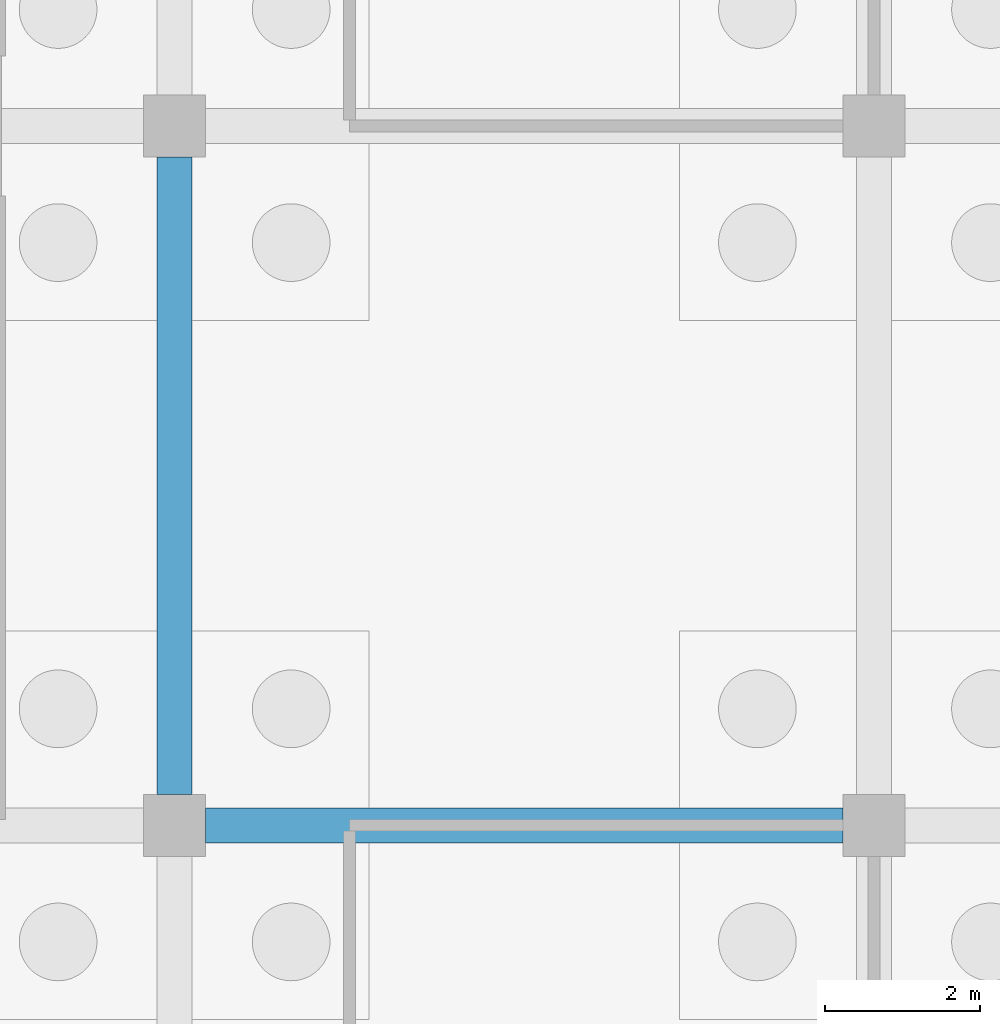
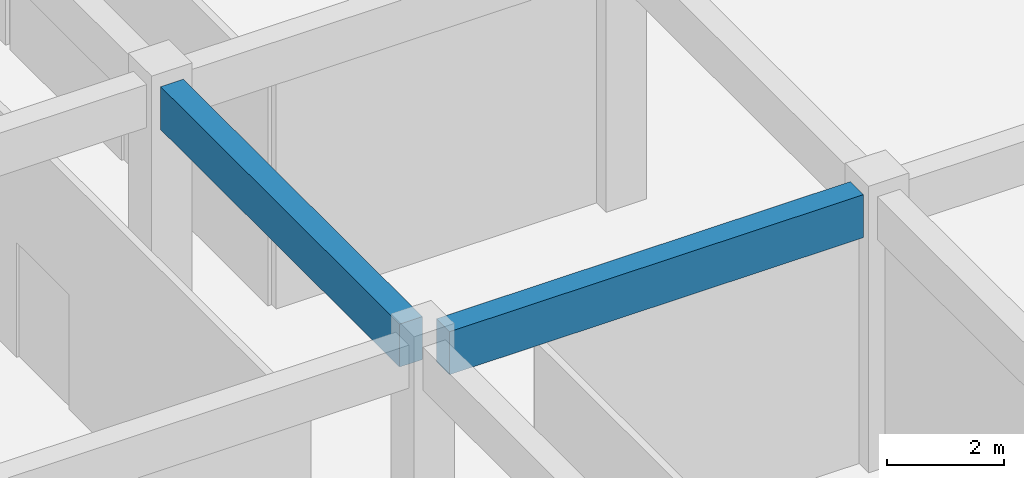
# One storey, part 59 of 198: 2 beams.
"""IFC4 building model written with IfcOpenShell, lengths in metres."""

from ifc_helpers import new_model, si_unit, direction, frame, origin, origin_2d, place, context, subcontext, project, spatial, rectangle, extrude, material, material_profile, profile_set, type_object, element, save


model = new_model("IFC4")

# Units and contexts
model_context = context("Model", 3, precision=1e-05, world=origin(), true_north=direction((0.0, 1.0)))
body_context = subcontext(model_context, "Body", "Model", "MODEL_VIEW")
ifc_project = project(units=[si_unit("LENGTHUNIT", "METRE"), si_unit("AREAUNIT", "SQUARE_METRE"), si_unit("VOLUMEUNIT", "CUBIC_METRE"), si_unit("PLANEANGLEUNIT", "RADIAN"), si_unit("MASSUNIT", "GRAM", prefix="KILO")], contexts=[model_context])

# Site, building, storey
site_placement = place(None, origin())
site = spatial("IfcSite", under=ifc_project, at=site_placement, CompositionType="ELEMENT")
building_placement = place(site_placement, origin())
building = spatial("IfcBuilding", under=site, at=building_placement, Name="Opaline Strait Convention Centre", CompositionType="ELEMENT")
storey_placement = place(building_placement, origin())
storey = spatial("IfcBuildingStorey", under=building, at=storey_placement, Name="L00", CompositionType="ELEMENT", Elevation=0.0)

# Beams
ifc_material = material(Name="Concrete C35", Category="concrete")
ifc_material_profile = material_profile(ifc_material, rectangle(XDim=0.449951171875, YDim=0.89990234375, at=origin_2d()), Name="RC 450x900")
ifc_profile_set = profile_set([ifc_material_profile], Name="Concrete C35")
beam_type = type_object("IfcBeamType", Name="RC beam 450x900 C35", PredefinedType="BEAM", material=ifc_profile_set)
for number, where, z_axis, x_axis, name in (
    (1, (288.39990234375, 135.0, 5.27001953125), (1.0, 0.0, 0.0), (0.0, 1.0, 0.0), "XB1 L00 33/R-34/R"),
    (2, (288.0, 135.39990234375, 5.27001953125), (0.0, 1.0, 0.0), (-1.0, 0.0, 0.0), "XB1 L00 33/R-33/S"),
):
    element("IfcBeam", number, at=place(storey_placement, frame(where, z_axis=z_axis, x_axis=x_axis)), inside=storey, type_object=beam_type, Name=name, PredefinedType="BEAM", context=body_context, shape_type="SweptSolid", body=[
        extrude(rectangle(XDim=0.449951171875, YDim=0.89990234375, at=origin_2d()), origin(), (0.0, 0.0, 1.0), 8.2001953125),
    ])

save(model, "model.ifc")
